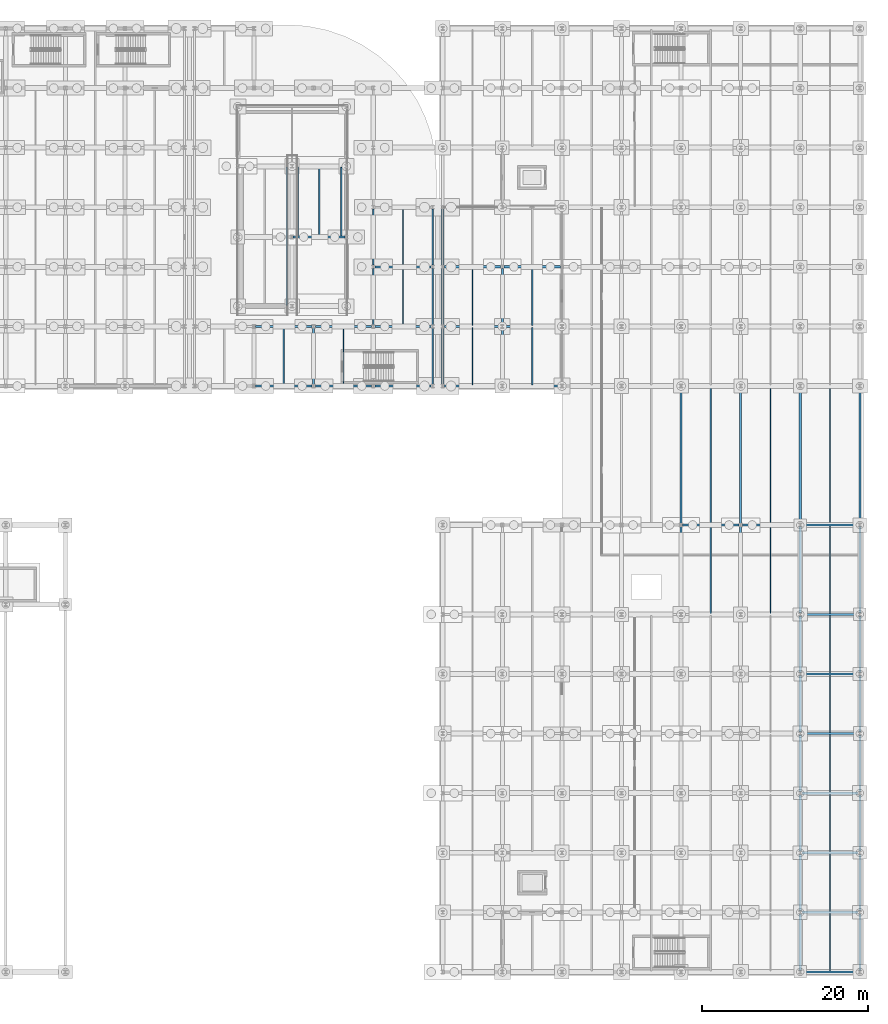
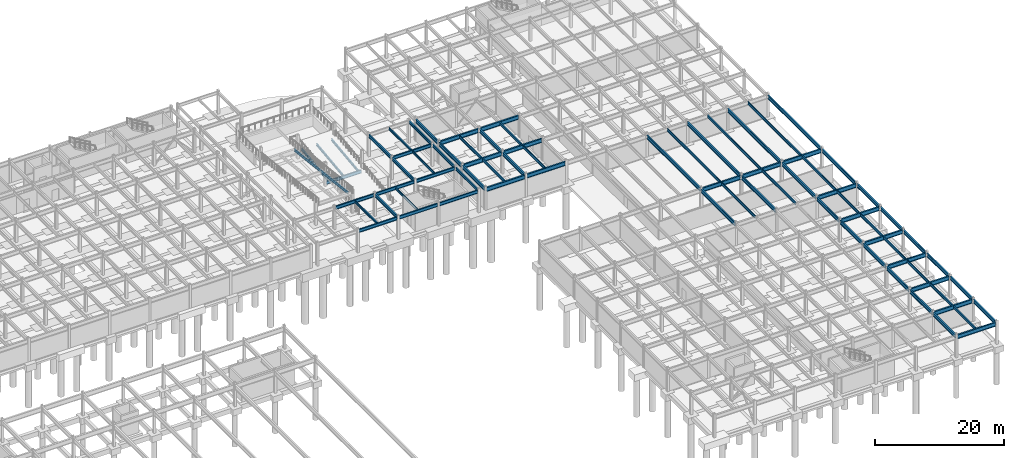
# One storey, part 34 of 54: 79 beams.
"""IFC4 building model written with IfcOpenShell, lengths in metres."""

from ifc_helpers import new_model, si_unit, direction, frame, origin, origin_2d, place, context, subcontext, project, spatial, i_section, extrude, material, material_profile, profile_set, type_object, element, save


model = new_model("IFC4")

# Units and contexts
model_context = context("Model", 3, precision=1e-05, world=origin(), true_north=direction((0.0, 1.0)))
body_context = subcontext(model_context, "Body", "Model", "MODEL_VIEW")
ifc_project = project(units=[si_unit("LENGTHUNIT", "METRE"), si_unit("AREAUNIT", "SQUARE_METRE"), si_unit("VOLUMEUNIT", "CUBIC_METRE"), si_unit("PLANEANGLEUNIT", "RADIAN"), si_unit("MASSUNIT", "GRAM", prefix="KILO")], contexts=[model_context])

# Site, building, storey
site_placement = place(None, origin())
site = spatial("IfcSite", under=ifc_project, at=site_placement, CompositionType="ELEMENT")
building_placement = place(site_placement, origin())
building = spatial("IfcBuilding", under=site, at=building_placement, Name="Vaelcorin Mobility Hub", CompositionType="ELEMENT")
storey_placement = place(building_placement, frame((0.0, 0.0, -4.5)))
storey = spatial("IfcBuildingStorey", under=building, at=storey_placement, Name="B1", CompositionType="ELEMENT", Elevation=-4.5)

# Beams
ifc_material = material(Name="Steel ASTM A992 Grade 50", Category="steel")
ifc_material_profile_1 = material_profile(ifc_material, i_section(OverallWidth=0.152099609375, OverallDepth=0.455078125, WebThickness=0.008056640625, FlangeThickness=0.01318359375, FilletRadius=0.012939453125, at=origin_2d()), Name="W18X40")
ifc_profile_set_1 = profile_set([ifc_material_profile_1], Name="Steel ASTM A992 Grade 50")
beam_type_1 = type_object("IfcBeamType", Name="BM-W18X40", PredefinedType="JOIST", material=ifc_profile_set_1)
for number, where, z_axis, x_axis, name in (
    (1, (134.39990234375, 76.912109375, 4.02197265625), (0.0, 1.0, 0.0), (-1.0, 0.0, 0.0), "B1 Beam V2E-B1-J-02-01-1"),
    (2, (141.60009765625, 76.912109375, 4.02197265625), (0.0, 1.0, 0.0), (-1.0, 0.0, 0.0), "B1 Beam V2E-B1-J-03-01-1"),
    (3, (148.800048828125, 84.112060546875, 4.02197265625), (0.0, 1.0, 0.0), (-1.0, 0.0, 0.0), "B1 Beam V2E-B1-J-04-02-1"),
):
    element("IfcBeam", number, at=place(storey_placement, frame(where, z_axis=z_axis, x_axis=x_axis)), inside=storey, type_object=beam_type_1, Name=name, PredefinedType="JOIST", context=body_context, shape_type="SweptSolid", body=[
        extrude(i_section(OverallWidth=0.152099609375, OverallDepth=0.455078125, WebThickness=0.008056640625, FlangeThickness=0.01318359375, FilletRadius=0.012939453125, at=origin_2d()), origin(), (0.0, 0.0, 1.0), 6.975830078125),
    ])
beam_1_placement = place(storey_placement, frame((148.800048828125, 91.31201171875, 4.02197265625), z_axis=(0.0, 1.0, 0.0), x_axis=(-1.0, 0.0, 0.0)))
element("IfcBeam", 4, at=beam_1_placement, inside=storey, type_object=beam_type_1, Name="B1 Beam V2E-B1-J-04-03-1", PredefinedType="JOIST", context=body_context, shape_type="SweptSolid", body=[
    extrude(i_section(OverallWidth=0.152099609375, OverallDepth=0.455078125, WebThickness=0.008056640625, FlangeThickness=0.01318359375, FilletRadius=0.012939453125, at=origin_2d()), origin(), (0.0, 0.0, 1.0), 6.97607421875),
])
ifc_material_profile_2 = material_profile(ifc_material, i_section(OverallWidth=0.19091796875, OverallDepth=0.4599609375, WebThickness=0.010009765625, FlangeThickness=0.01611328125, FilletRadius=0.012939453125, at=origin_2d()), Name="W18X55")
ifc_profile_set_2 = profile_set([ifc_material_profile_2], Name="Steel ASTM A992 Grade 50")
beam_type_2 = type_object("IfcBeamType", Name="BM-W18X55", PredefinedType="JOIST", material=ifc_profile_set_2)
for number, where, z_axis, x_axis, name in (
    (5, (136.050048828125, 94.909912109375, 0.60693359375), (0.0, 0.993191474496, 0.116493325936), (-1.0, 0.0, 0.0), "Vehicle Ramp VR-2 B1 Flight 1 Stringer 1"),
    (6, (138.699951171875, 94.909912109375, 0.60693359375), (0.0, 0.993191474496, 0.116493325936), (-1.0, 0.0, 0.0), "Vehicle Ramp VR-2 B1 Flight 1 Stringer 2"),
    (7, (141.35009765625, 94.909912109375, 0.60693359375), (0.0, 0.993191474496, 0.116493325936), (-1.0, 0.0, 0.0), "Vehicle Ramp VR-2 B1 Flight 1 Stringer 3"),
):
    element("IfcBeam", number, at=place(storey_placement, frame(where, z_axis=z_axis, x_axis=x_axis)), inside=storey, type_object=beam_type_2, Name=name, PredefinedType="JOIST", context=body_context, shape_type="SweptSolid", body=[
        extrude(i_section(OverallWidth=0.19091796875, OverallDepth=0.4599609375, WebThickness=0.010009765625, FlangeThickness=0.01611328125, FilletRadius=0.012939453125, at=origin_2d()), origin(), (0.0, 0.0, 1.0), 8.38720703125),
    ])
beam_2_placement = place(storey_placement, frame((134.75, 103.239990234375, 1.888916015625), z_axis=(0.0, -0.99318727008, 0.116529166098), x_axis=(1.0, 0.0, 0.0)))
element("IfcBeam", 8, at=beam_2_placement, inside=storey, type_object=beam_type_2, Name="Vehicle Ramp VR-2 B1 Flight 2 Stringer 3", PredefinedType="JOIST", context=body_context, shape_type="SweptSolid", body=[
    extrude(i_section(OverallWidth=0.19091796875, OverallDepth=0.4599609375, WebThickness=0.010009765625, FlangeThickness=0.01611328125, FilletRadius=0.012939453125, at=origin_2d()), origin(), (0.0, 0.0, 1.0), 16.79443359375),
])
ifc_material_profile_3 = material_profile(ifc_material, i_section(OverallWidth=0.166015625, OverallDepth=0.528076171875, WebThickness=0.009765625, FlangeThickness=0.013671875, FilletRadius=0.013916015625, at=origin_2d()), Name="W21X50")
ifc_profile_set_3 = profile_set([ifc_material_profile_3], Name="Steel ASTM A992 Grade 50")
beam_type_3 = type_object("IfcBeamType", Name="BM-W21X50", PredefinedType="JOIST", material=ifc_profile_set_3)
for number, where, z_axis, x_axis, name in (
    (9, (157.199951171875, 76.931884765625, 3.916015625), (0.0, 1.0, 0.0), (-1.0, 0.0, 0.0), "B1 Beam V5-B1-J-01-09-1"),
    (10, (157.199951171875, 84.132080078125, 3.916015625), (0.0, 1.0, 0.0), (-1.0, 0.0, 0.0), "B1 Beam V5-B1-J-01-10-1"),
    (11, (164.39990234375, 76.931884765625, 3.916015625), (0.0, 1.0, 0.0), (-1.0, 0.0, 0.0), "B1 Beam V5-B1-J-02-09-1"),
    (12, (164.39990234375, 84.132080078125, 3.916015625), (0.0, 1.0, 0.0), (-1.0, 0.0, 0.0), "B1 Beam V5-B1-J-02-10-1"),
):
    element("IfcBeam", number, at=place(storey_placement, frame(where, z_axis=z_axis, x_axis=x_axis)), inside=storey, type_object=beam_type_3, Name=name, PredefinedType="JOIST", context=body_context, shape_type="SweptSolid", body=[
        extrude(i_section(OverallWidth=0.166015625, OverallDepth=0.528076171875, WebThickness=0.009765625, FlangeThickness=0.013671875, FilletRadius=0.013916015625, at=origin_2d()), origin(), (0.0, 0.0, 1.0), 6.93603515625),
    ])
beam_3_placement = place(storey_placement, frame((186.0, 49.33203125, 3.916015625), z_axis=(0.0, 1.0, 0.0), x_axis=(-1.0, 0.0, 0.0)))
element("IfcBeam", 13, at=beam_3_placement, inside=storey, type_object=beam_type_3, Name="B1 Beam V5-B1-J-05-07-1", PredefinedType="JOIST", context=body_context, shape_type="SweptSolid", body=[
    extrude(i_section(OverallWidth=0.166015625, OverallDepth=0.528076171875, WebThickness=0.009765625, FlangeThickness=0.013671875, FilletRadius=0.013916015625, at=origin_2d()), origin(), (0.0, 0.0, 1.0), 10.535888671875),
])
beam_4_placement = place(storey_placement, frame((186.0, 60.132080078125, 3.916015625), z_axis=(0.0, 1.0, 0.0), x_axis=(-1.0, 0.0, 0.0)))
element("IfcBeam", 14, at=beam_4_placement, inside=storey, type_object=beam_type_3, Name="B1 Beam V5-B1-J-05-08-1", PredefinedType="JOIST", context=body_context, shape_type="SweptSolid", body=[
    extrude(i_section(OverallWidth=0.166015625, OverallDepth=0.528076171875, WebThickness=0.009765625, FlangeThickness=0.013671875, FilletRadius=0.013916015625, at=origin_2d()), origin(), (0.0, 0.0, 1.0), 16.535888671875),
])
beam_5_placement = place(storey_placement, frame((193.199951171875, 49.33203125, 3.916015625), z_axis=(0.0, 1.0, 0.0), x_axis=(-1.0, 0.0, 0.0)))
element("IfcBeam", 15, at=beam_5_placement, inside=storey, type_object=beam_type_3, Name="B1 Beam V5-B1-J-06-07-1", PredefinedType="JOIST", context=body_context, shape_type="SweptSolid", body=[
    extrude(i_section(OverallWidth=0.166015625, OverallDepth=0.528076171875, WebThickness=0.009765625, FlangeThickness=0.013671875, FilletRadius=0.013916015625, at=origin_2d()), origin(), (0.0, 0.0, 1.0), 10.535888671875),
])
beam_6_placement = place(storey_placement, frame((193.199951171875, 60.132080078125, 3.916015625), z_axis=(0.0, 1.0, 0.0), x_axis=(-1.0, 0.0, 0.0)))
element("IfcBeam", 16, at=beam_6_placement, inside=storey, type_object=beam_type_3, Name="B1 Beam V5-B1-J-06-08-1", PredefinedType="JOIST", context=body_context, shape_type="SweptSolid", body=[
    extrude(i_section(OverallWidth=0.166015625, OverallDepth=0.528076171875, WebThickness=0.009765625, FlangeThickness=0.013671875, FilletRadius=0.013916015625, at=origin_2d()), origin(), (0.0, 0.0, 1.0), 16.535888671875),
])
for number, where, z_axis, x_axis, name in (
    (17, (200.39990234375, 6.132080078125, 3.916015625), (0.0, 1.0, 0.0), (-1.0, 0.0, 0.0), "B1 Beam V5-B1-J-07-01-1"),
    (18, (200.39990234375, 13.33203125, 3.916015625), (0.0, 1.0, 0.0), (-1.0, 0.0, 0.0), "B1 Beam V5-B1-J-07-02-1"),
):
    element("IfcBeam", number, at=place(storey_placement, frame(where, z_axis=z_axis, x_axis=x_axis)), inside=storey, type_object=beam_type_3, Name=name, PredefinedType="JOIST", context=body_context, shape_type="SweptSolid", body=[
        extrude(i_section(OverallWidth=0.166015625, OverallDepth=0.528076171875, WebThickness=0.009765625, FlangeThickness=0.013671875, FilletRadius=0.013916015625, at=origin_2d()), origin(), (0.0, 0.0, 1.0), 6.93603515625),
    ])
beam_7_placement = place(storey_placement, frame((200.39990234375, 20.531005859375, 3.916015625), z_axis=(0.0, 1.0, 0.0), x_axis=(-1.0, 0.0, 0.0)))
element("IfcBeam", 19, at=beam_7_placement, inside=storey, type_object=beam_type_3, Name="B1 Beam V5-B1-J-07-03-1", PredefinedType="JOIST", context=body_context, shape_type="SweptSolid", body=[
    extrude(i_section(OverallWidth=0.166015625, OverallDepth=0.528076171875, WebThickness=0.009765625, FlangeThickness=0.013671875, FilletRadius=0.013916015625, at=origin_2d()), origin(), (0.0, 0.0, 1.0), 6.93798828125),
])
for number, where, z_axis, x_axis, name in (
    (20, (200.39990234375, 27.73193359375, 3.916015625), (0.0, 1.0, 0.0), (-1.0, 0.0, 0.0), "B1 Beam V5-B1-J-07-04-1"),
    (21, (200.39990234375, 34.931884765625, 3.916015625), (0.0, 1.0, 0.0), (-1.0, 0.0, 0.0), "B1 Beam V5-B1-J-07-05-1"),
    (22, (200.39990234375, 42.132080078125, 3.916015625), (0.0, 1.0, 0.0), (-1.0, 0.0, 0.0), "B1 Beam V5-B1-J-07-06-1"),
):
    element("IfcBeam", number, at=place(storey_placement, frame(where, z_axis=z_axis, x_axis=x_axis)), inside=storey, type_object=beam_type_3, Name=name, PredefinedType="JOIST", context=body_context, shape_type="SweptSolid", body=[
        extrude(i_section(OverallWidth=0.166015625, OverallDepth=0.528076171875, WebThickness=0.009765625, FlangeThickness=0.013671875, FilletRadius=0.013916015625, at=origin_2d()), origin(), (0.0, 0.0, 1.0), 6.93603515625),
    ])
beam_8_placement = place(storey_placement, frame((200.39990234375, 49.33203125, 3.916015625), z_axis=(0.0, 1.0, 0.0), x_axis=(-1.0, 0.0, 0.0)))
element("IfcBeam", 23, at=beam_8_placement, inside=storey, type_object=beam_type_3, Name="B1 Beam V5-B1-J-07-07-1", PredefinedType="JOIST", context=body_context, shape_type="SweptSolid", body=[
    extrude(i_section(OverallWidth=0.166015625, OverallDepth=0.528076171875, WebThickness=0.009765625, FlangeThickness=0.013671875, FilletRadius=0.013916015625, at=origin_2d()), origin(), (0.0, 0.0, 1.0), 10.535888671875),
])
beam_9_placement = place(storey_placement, frame((200.39990234375, 60.132080078125, 3.916015625), z_axis=(0.0, 1.0, 0.0), x_axis=(-1.0, 0.0, 0.0)))
element("IfcBeam", 24, at=beam_9_placement, inside=storey, type_object=beam_type_3, Name="B1 Beam V5-B1-J-07-08-1", PredefinedType="JOIST", context=body_context, shape_type="SweptSolid", body=[
    extrude(i_section(OverallWidth=0.166015625, OverallDepth=0.528076171875, WebThickness=0.009765625, FlangeThickness=0.013671875, FilletRadius=0.013916015625, at=origin_2d()), origin(), (0.0, 0.0, 1.0), 16.535888671875),
])
ifc_material_profile_4 = material_profile(ifc_material, i_section(OverallWidth=0.2099609375, OverallDepth=0.535888671875, WebThickness=0.010986328125, FlangeThickness=0.017333984375, FilletRadius=0.013916015625, at=origin_2d()), Name="W21X68")
ifc_profile_set_4 = profile_set([ifc_material_profile_4], Name="Steel ASTM A992 Grade 50")
beam_type_4 = type_object("IfcBeamType", Name="BM-W21X68", PredefinedType="SPANDREL", material=ifc_profile_set_4)
for number, where, z_axis, x_axis, name in (
    (25, (152.39990234375, 76.9951171875, 3.98193359375), (0.0, 1.0, 0.0), (-1.0, 0.0, 0.0), "B1 Beam V2E-B1-GY-05-01"),
    (26, (152.39990234375, 84.195068359375, 3.98193359375), (0.0, 1.0, 0.0), (-1.0, 0.0, 0.0), "B1 Beam V2E-B1-GY-05-02"),
):
    element("IfcBeam", number, at=place(storey_placement, frame(where, z_axis=z_axis, x_axis=x_axis)), inside=storey, type_object=beam_type_4, Name=name, PredefinedType="SPANDREL", context=body_context, shape_type="SweptSolid", body=[
        extrude(i_section(OverallWidth=0.2099609375, OverallDepth=0.535888671875, WebThickness=0.010986328125, FlangeThickness=0.017333984375, FilletRadius=0.013916015625, at=origin_2d()), origin(), (0.0, 0.0, 1.0), 6.809814453125),
    ])
beam_10_placement = place(storey_placement, frame((152.39990234375, 91.39501953125, 3.98193359375), z_axis=(0.0, 1.0, 0.0), x_axis=(-1.0, 0.0, 0.0)))
element("IfcBeam", 27, at=beam_10_placement, inside=storey, type_object=beam_type_4, Name="B1 Beam V2E-B1-GY-05-03", PredefinedType="SPANDREL", context=body_context, shape_type="SweptSolid", body=[
    extrude(i_section(OverallWidth=0.2099609375, OverallDepth=0.535888671875, WebThickness=0.010986328125, FlangeThickness=0.017333984375, FilletRadius=0.013916015625, at=origin_2d()), origin(), (0.0, 0.0, 1.0), 6.81005859375),
])
ifc_material_profile_5 = material_profile(ifc_material, i_section(OverallWidth=0.22802734375, OverallDepth=0.60205078125, WebThickness=0.010498046875, FlangeThickness=0.014892578125, FilletRadius=0.014892578125, at=origin_2d()), Name="W24X68")
ifc_profile_set_5 = profile_set([ifc_material_profile_5], Name="Steel ASTM A992 Grade 50")
beam_type_5 = type_object("IfcBeamType", Name="BM-W24X68", PredefinedType="SPANDREL", material=ifc_profile_set_5)
for number, where, z_axis, x_axis, name in (
    (28, (130.998046875, 76.800048828125, 3.948974609375), (1.0, 0.0, 0.0), (0.0, 1.0, 0.0), "B1 Beam V2E-B1-GX-01-02"),
    (29, (138.197998046875, 76.800048828125, 3.948974609375), (1.0, 0.0, 0.0), (0.0, 1.0, 0.0), "B1 Beam V2E-B1-GX-01-03"),
):
    element("IfcBeam", number, at=place(storey_placement, frame(where, z_axis=z_axis, x_axis=x_axis)), inside=storey, type_object=beam_type_5, Name=name, PredefinedType="SPANDREL", context=body_context, shape_type="SweptSolid", body=[
        extrude(i_section(OverallWidth=0.22802734375, OverallDepth=0.60205078125, WebThickness=0.010498046875, FlangeThickness=0.014892578125, FilletRadius=0.014892578125, at=origin_2d()), origin(), (0.0, 0.0, 1.0), 6.803955078125),
    ])
beam_11_placement = place(storey_placement, frame((145.39697265625, 76.800048828125, 3.948974609375), z_axis=(1.0, 0.0, 0.0), x_axis=(0.0, 1.0, 0.0)))
element("IfcBeam", 30, at=beam_11_placement, inside=storey, type_object=beam_type_5, Name="B1 Beam V2E-B1-GX-01-04", PredefinedType="SPANDREL", context=body_context, shape_type="SweptSolid", body=[
    extrude(i_section(OverallWidth=0.22802734375, OverallDepth=0.60205078125, WebThickness=0.010498046875, FlangeThickness=0.014892578125, FilletRadius=0.014892578125, at=origin_2d()), origin(), (0.0, 0.0, 1.0), 6.805908203125),
])
ifc_material_profile_6 = material_profile(ifc_material, i_section(OverallWidth=0.22900390625, OverallDepth=0.612060546875, WebThickness=0.011962890625, FlangeThickness=0.01953125, FilletRadius=0.014892578125, at=origin_2d()), Name="W24X84")
ifc_profile_set_6 = profile_set([ifc_material_profile_6], Name="Steel ASTM A992 Grade 50")
beam_type_6 = type_object("IfcBeamType", Name="BM-W24X84", PredefinedType="BEAM", material=ifc_profile_set_6)
for number, where, z_axis, x_axis, name in (
    (31, (130.998046875, 84.0, 3.944091796875), (1.0, 0.0, 0.0), (0.0, 1.0, 0.0), "B1 Beam V2E-B1-GX-02-02"),
    (32, (138.197998046875, 84.0, 3.944091796875), (1.0, 0.0, 0.0), (0.0, 1.0, 0.0), "B1 Beam V2E-B1-GX-02-03"),
):
    element("IfcBeam", number, at=place(storey_placement, frame(where, z_axis=z_axis, x_axis=x_axis)), inside=storey, type_object=beam_type_6, Name=name, PredefinedType="BEAM", context=body_context, shape_type="SweptSolid", body=[
        extrude(i_section(OverallWidth=0.22900390625, OverallDepth=0.612060546875, WebThickness=0.011962890625, FlangeThickness=0.01953125, FilletRadius=0.014892578125, at=origin_2d()), origin(), (0.0, 0.0, 1.0), 6.803955078125),
    ])
for number, where, z_axis, x_axis, name in (
    (33, (145.39697265625, 84.0, 3.944091796875), (1.0, 0.0, 0.0), (0.0, 1.0, 0.0), "B1 Beam V2E-B1-GX-02-04"),
    (34, (145.39697265625, 91.199951171875, 3.944091796875), (1.0, 0.0, 0.0), (0.0, 1.0, 0.0), "B1 Beam V2E-B1-GX-03-04"),
):
    element("IfcBeam", number, at=place(storey_placement, frame(where, z_axis=z_axis, x_axis=x_axis)), inside=storey, type_object=beam_type_6, Name=name, PredefinedType="BEAM", context=body_context, shape_type="SweptSolid", body=[
        extrude(i_section(OverallWidth=0.22900390625, OverallDepth=0.612060546875, WebThickness=0.011962890625, FlangeThickness=0.01953125, FilletRadius=0.014892578125, at=origin_2d()), origin(), (0.0, 0.0, 1.0), 6.805908203125),
    ])
for number, where, z_axis, x_axis, name in (
    (35, (138.0, 76.9951171875, 3.944091796875), (0.0, 1.0, 0.0), (-1.0, 0.0, 0.0), "B1 Beam V2E-B1-GY-03-01"),
    (36, (145.199951171875, 84.195068359375, 3.944091796875), (0.0, 1.0, 0.0), (-1.0, 0.0, 0.0), "B1 Beam V2E-B1-GY-04-02"),
):
    element("IfcBeam", number, at=place(storey_placement, frame(where, z_axis=z_axis, x_axis=x_axis)), inside=storey, type_object=beam_type_6, Name=name, PredefinedType="BEAM", context=body_context, shape_type="SweptSolid", body=[
        extrude(i_section(OverallWidth=0.22900390625, OverallDepth=0.612060546875, WebThickness=0.011962890625, FlangeThickness=0.01953125, FilletRadius=0.014892578125, at=origin_2d()), origin(), (0.0, 0.0, 1.0), 6.809814453125),
    ])
beam_12_placement = place(storey_placement, frame((145.199951171875, 91.39501953125, 3.944091796875), z_axis=(0.0, 1.0, 0.0), x_axis=(-1.0, 0.0, 0.0)))
element("IfcBeam", 37, at=beam_12_placement, inside=storey, type_object=beam_type_6, Name="B1 Beam V2E-B1-GY-04-03", PredefinedType="BEAM", context=body_context, shape_type="SweptSolid", body=[
    extrude(i_section(OverallWidth=0.22900390625, OverallDepth=0.612060546875, WebThickness=0.011962890625, FlangeThickness=0.01953125, FilletRadius=0.014892578125, at=origin_2d()), origin(), (0.0, 0.0, 1.0), 6.81005859375),
])
beam_13_placement = place(storey_placement, frame((135.530029296875, 94.800048828125, 0.4970703125), z_axis=(1.0, 0.0, 0.0), x_axis=(0.0, 1.0, 0.0)))
element("IfcBeam", 38, at=beam_13_placement, inside=storey, type_object=beam_type_6, Name="Vehicle Ramp VR-2 B1 Bent Girder F1M", PredefinedType="BEAM", context=body_context, shape_type="SweptSolid", body=[
    extrude(i_section(OverallWidth=0.22900390625, OverallDepth=0.612060546875, WebThickness=0.011962890625, FlangeThickness=0.01953125, FilletRadius=0.014892578125, at=origin_2d()), origin(), (0.0, 0.0, 1.0), 6.2900390625),
])
ifc_material_profile_7 = material_profile(ifc_material, i_section(OverallWidth=0.25390625, OverallDepth=0.68310546875, WebThickness=0.012451171875, FlangeThickness=0.018798828125, FilletRadius=0.01611328125, at=origin_2d()), Name="W27X94")
ifc_profile_set_7 = profile_set([ifc_material_profile_7], Name="Steel ASTM A992 Grade 50")
beam_type_7 = type_object("IfcBeamType", Name="BM-W27X94", PredefinedType="BEAM", material=ifc_profile_set_7)
for number, where, z_axis, x_axis, name in (
    (39, (153.60009765625, 76.9951171875, 3.837890625), (0.0, 1.0, 0.0), (-1.0, 0.0, 0.0), "B1 Beam V5-B1-GY-01-09"),
    (40, (153.60009765625, 84.195068359375, 3.837890625), (0.0, 1.0, 0.0), (-1.0, 0.0, 0.0), "B1 Beam V5-B1-GY-01-10"),
):
    element("IfcBeam", number, at=place(storey_placement, frame(where, z_axis=z_axis, x_axis=x_axis)), inside=storey, type_object=beam_type_7, Name=name, PredefinedType="BEAM", context=body_context, shape_type="SweptSolid", body=[
        extrude(i_section(OverallWidth=0.25390625, OverallDepth=0.68310546875, WebThickness=0.012451171875, FlangeThickness=0.018798828125, FilletRadius=0.01611328125, at=origin_2d()), origin(), (0.0, 0.0, 1.0), 6.809814453125),
    ])
beam_14_placement = place(storey_placement, frame((153.60009765625, 91.39501953125, 3.837890625), z_axis=(0.0, 1.0, 0.0), x_axis=(-1.0, 0.0, 0.0)))
element("IfcBeam", 41, at=beam_14_placement, inside=storey, type_object=beam_type_7, Name="B1 Beam V5-B1-GY-01-11", PredefinedType="BEAM", context=body_context, shape_type="SweptSolid", body=[
    extrude(i_section(OverallWidth=0.25390625, OverallDepth=0.68310546875, WebThickness=0.012451171875, FlangeThickness=0.018798828125, FilletRadius=0.01611328125, at=origin_2d()), origin(), (0.0, 0.0, 1.0), 6.81005859375),
])
for number, where, z_axis, x_axis, name in (
    (42, (160.800048828125, 76.9951171875, 3.837890625), (0.0, 1.0, 0.0), (-1.0, 0.0, 0.0), "B1 Beam V5-B1-GY-02-09"),
    (43, (160.800048828125, 84.195068359375, 3.837890625), (0.0, 1.0, 0.0), (-1.0, 0.0, 0.0), "B1 Beam V5-B1-GY-02-10"),
):
    element("IfcBeam", number, at=place(storey_placement, frame(where, z_axis=z_axis, x_axis=x_axis)), inside=storey, type_object=beam_type_7, Name=name, PredefinedType="BEAM", context=body_context, shape_type="SweptSolid", body=[
        extrude(i_section(OverallWidth=0.25390625, OverallDepth=0.68310546875, WebThickness=0.012451171875, FlangeThickness=0.018798828125, FilletRadius=0.01611328125, at=origin_2d()), origin(), (0.0, 0.0, 1.0), 6.809814453125),
    ])
beam_15_placement = place(storey_placement, frame((182.39990234375, 49.39501953125, 3.837890625), z_axis=(0.0, 1.0, 0.0), x_axis=(-1.0, 0.0, 0.0)))
element("IfcBeam", 44, at=beam_15_placement, inside=storey, type_object=beam_type_7, Name="B1 Beam V5-B1-GY-05-07", PredefinedType="BEAM", context=body_context, shape_type="SweptSolid", body=[
    extrude(i_section(OverallWidth=0.25390625, OverallDepth=0.68310546875, WebThickness=0.012451171875, FlangeThickness=0.018798828125, FilletRadius=0.01611328125, at=origin_2d()), origin(), (0.0, 0.0, 1.0), 10.409912109375),
])
beam_16_placement = place(storey_placement, frame((182.39990234375, 60.195068359375, 3.837890625), z_axis=(0.0, 1.0, 0.0), x_axis=(-1.0, 0.0, 0.0)))
element("IfcBeam", 45, at=beam_16_placement, inside=storey, type_object=beam_type_7, Name="B1 Beam V5-B1-GY-05-08", PredefinedType="BEAM", context=body_context, shape_type="SweptSolid", body=[
    extrude(i_section(OverallWidth=0.25390625, OverallDepth=0.68310546875, WebThickness=0.012451171875, FlangeThickness=0.018798828125, FilletRadius=0.01611328125, at=origin_2d()), origin(), (0.0, 0.0, 1.0), 16.409912109375),
])
beam_17_placement = place(storey_placement, frame((189.60009765625, 49.39501953125, 3.837890625), z_axis=(0.0, 1.0, 0.0), x_axis=(-1.0, 0.0, 0.0)))
element("IfcBeam", 46, at=beam_17_placement, inside=storey, type_object=beam_type_7, Name="B1 Beam V5-B1-GY-06-07", PredefinedType="BEAM", context=body_context, shape_type="SweptSolid", body=[
    extrude(i_section(OverallWidth=0.25390625, OverallDepth=0.68310546875, WebThickness=0.012451171875, FlangeThickness=0.018798828125, FilletRadius=0.01611328125, at=origin_2d()), origin(), (0.0, 0.0, 1.0), 10.409912109375),
])
beam_18_placement = place(storey_placement, frame((189.60009765625, 60.195068359375, 3.837890625), z_axis=(0.0, 1.0, 0.0), x_axis=(-1.0, 0.0, 0.0)))
element("IfcBeam", 47, at=beam_18_placement, inside=storey, type_object=beam_type_7, Name="B1 Beam V5-B1-GY-06-08", PredefinedType="BEAM", context=body_context, shape_type="SweptSolid", body=[
    extrude(i_section(OverallWidth=0.25390625, OverallDepth=0.68310546875, WebThickness=0.012451171875, FlangeThickness=0.018798828125, FilletRadius=0.01611328125, at=origin_2d()), origin(), (0.0, 0.0, 1.0), 16.409912109375),
])
beam_19_placement = place(storey_placement, frame((196.800048828125, 6.195068359375, 3.837890625), z_axis=(0.0, 1.0, 0.0), x_axis=(-1.0, 0.0, 0.0)))
element("IfcBeam", 48, at=beam_19_placement, inside=storey, type_object=beam_type_7, Name="B1 Beam V5-B1-GY-07-01", PredefinedType="BEAM", context=body_context, shape_type="SweptSolid", body=[
    extrude(i_section(OverallWidth=0.25390625, OverallDepth=0.68310546875, WebThickness=0.012451171875, FlangeThickness=0.018798828125, FilletRadius=0.01611328125, at=origin_2d()), origin(), (0.0, 0.0, 1.0), 6.809814453125),
])
for number, where, z_axis, x_axis, name in (
    (49, (196.800048828125, 13.39501953125, 3.837890625), (0.0, 1.0, 0.0), (-1.0, 0.0, 0.0), "B1 Beam V5-B1-GY-07-02"),
    (50, (196.800048828125, 20.594970703125, 3.837890625), (0.0, 1.0, 0.0), (-1.0, 0.0, 0.0), "B1 Beam V5-B1-GY-07-03"),
    (51, (196.800048828125, 27.794921875, 3.837890625), (0.0, 1.0, 0.0), (-1.0, 0.0, 0.0), "B1 Beam V5-B1-GY-07-04"),
):
    element("IfcBeam", number, at=place(storey_placement, frame(where, z_axis=z_axis, x_axis=x_axis)), inside=storey, type_object=beam_type_7, Name=name, PredefinedType="BEAM", context=body_context, shape_type="SweptSolid", body=[
        extrude(i_section(OverallWidth=0.25390625, OverallDepth=0.68310546875, WebThickness=0.012451171875, FlangeThickness=0.018798828125, FilletRadius=0.01611328125, at=origin_2d()), origin(), (0.0, 0.0, 1.0), 6.81005859375),
    ])
for number, where, z_axis, x_axis, name in (
    (52, (196.800048828125, 34.9951171875, 3.837890625), (0.0, 1.0, 0.0), (-1.0, 0.0, 0.0), "B1 Beam V5-B1-GY-07-05"),
    (53, (196.800048828125, 42.195068359375, 3.837890625), (0.0, 1.0, 0.0), (-1.0, 0.0, 0.0), "B1 Beam V5-B1-GY-07-06"),
):
    element("IfcBeam", number, at=place(storey_placement, frame(where, z_axis=z_axis, x_axis=x_axis)), inside=storey, type_object=beam_type_7, Name=name, PredefinedType="BEAM", context=body_context, shape_type="SweptSolid", body=[
        extrude(i_section(OverallWidth=0.25390625, OverallDepth=0.68310546875, WebThickness=0.012451171875, FlangeThickness=0.018798828125, FilletRadius=0.01611328125, at=origin_2d()), origin(), (0.0, 0.0, 1.0), 6.809814453125),
    ])
beam_20_placement = place(storey_placement, frame((196.800048828125, 49.39501953125, 3.837890625), z_axis=(0.0, 1.0, 0.0), x_axis=(-1.0, 0.0, 0.0)))
element("IfcBeam", 54, at=beam_20_placement, inside=storey, type_object=beam_type_7, Name="B1 Beam V5-B1-GY-07-07", PredefinedType="BEAM", context=body_context, shape_type="SweptSolid", body=[
    extrude(i_section(OverallWidth=0.25390625, OverallDepth=0.68310546875, WebThickness=0.012451171875, FlangeThickness=0.018798828125, FilletRadius=0.01611328125, at=origin_2d()), origin(), (0.0, 0.0, 1.0), 10.409912109375),
])
beam_21_placement = place(storey_placement, frame((196.800048828125, 60.195068359375, 3.837890625), z_axis=(0.0, 1.0, 0.0), x_axis=(-1.0, 0.0, 0.0)))
element("IfcBeam", 55, at=beam_21_placement, inside=storey, type_object=beam_type_7, Name="B1 Beam V5-B1-GY-07-08", PredefinedType="BEAM", context=body_context, shape_type="SweptSolid", body=[
    extrude(i_section(OverallWidth=0.25390625, OverallDepth=0.68310546875, WebThickness=0.012451171875, FlangeThickness=0.018798828125, FilletRadius=0.01611328125, at=origin_2d()), origin(), (0.0, 0.0, 1.0), 16.409912109375),
])
beam_22_placement = place(storey_placement, frame((204.0, 6.195068359375, 3.837890625), z_axis=(0.0, 1.0, 0.0), x_axis=(-1.0, 0.0, 0.0)))
element("IfcBeam", 56, at=beam_22_placement, inside=storey, type_object=beam_type_7, Name="B1 Beam V5-B1-GY-08-01", PredefinedType="BEAM", context=body_context, shape_type="SweptSolid", body=[
    extrude(i_section(OverallWidth=0.25390625, OverallDepth=0.68310546875, WebThickness=0.012451171875, FlangeThickness=0.018798828125, FilletRadius=0.01611328125, at=origin_2d()), origin(), (0.0, 0.0, 1.0), 6.809814453125),
])
for number, where, z_axis, x_axis, name in (
    (57, (204.0, 13.39501953125, 3.837890625), (0.0, 1.0, 0.0), (-1.0, 0.0, 0.0), "B1 Beam V5-B1-GY-08-02"),
    (58, (204.0, 20.594970703125, 3.837890625), (0.0, 1.0, 0.0), (-1.0, 0.0, 0.0), "B1 Beam V5-B1-GY-08-03"),
    (59, (204.0, 27.794921875, 3.837890625), (0.0, 1.0, 0.0), (-1.0, 0.0, 0.0), "B1 Beam V5-B1-GY-08-04"),
):
    element("IfcBeam", number, at=place(storey_placement, frame(where, z_axis=z_axis, x_axis=x_axis)), inside=storey, type_object=beam_type_7, Name=name, PredefinedType="BEAM", context=body_context, shape_type="SweptSolid", body=[
        extrude(i_section(OverallWidth=0.25390625, OverallDepth=0.68310546875, WebThickness=0.012451171875, FlangeThickness=0.018798828125, FilletRadius=0.01611328125, at=origin_2d()), origin(), (0.0, 0.0, 1.0), 6.81005859375),
    ])
for number, where, z_axis, x_axis, name in (
    (60, (204.0, 34.9951171875, 3.837890625), (0.0, 1.0, 0.0), (-1.0, 0.0, 0.0), "B1 Beam V5-B1-GY-08-05"),
    (61, (204.0, 42.195068359375, 3.837890625), (0.0, 1.0, 0.0), (-1.0, 0.0, 0.0), "B1 Beam V5-B1-GY-08-06"),
):
    element("IfcBeam", number, at=place(storey_placement, frame(where, z_axis=z_axis, x_axis=x_axis)), inside=storey, type_object=beam_type_7, Name=name, PredefinedType="BEAM", context=body_context, shape_type="SweptSolid", body=[
        extrude(i_section(OverallWidth=0.25390625, OverallDepth=0.68310546875, WebThickness=0.012451171875, FlangeThickness=0.018798828125, FilletRadius=0.01611328125, at=origin_2d()), origin(), (0.0, 0.0, 1.0), 6.809814453125),
    ])
beam_23_placement = place(storey_placement, frame((204.0, 49.39501953125, 3.837890625), z_axis=(0.0, 1.0, 0.0), x_axis=(-1.0, 0.0, 0.0)))
element("IfcBeam", 62, at=beam_23_placement, inside=storey, type_object=beam_type_7, Name="B1 Beam V5-B1-GY-08-07", PredefinedType="BEAM", context=body_context, shape_type="SweptSolid", body=[
    extrude(i_section(OverallWidth=0.25390625, OverallDepth=0.68310546875, WebThickness=0.012451171875, FlangeThickness=0.018798828125, FilletRadius=0.01611328125, at=origin_2d()), origin(), (0.0, 0.0, 1.0), 10.409912109375),
])
beam_24_placement = place(storey_placement, frame((204.0, 60.195068359375, 3.837890625), z_axis=(0.0, 1.0, 0.0), x_axis=(-1.0, 0.0, 0.0)))
element("IfcBeam", 63, at=beam_24_placement, inside=storey, type_object=beam_type_7, Name="B1 Beam V5-B1-GY-08-08", PredefinedType="BEAM", context=body_context, shape_type="SweptSolid", body=[
    extrude(i_section(OverallWidth=0.25390625, OverallDepth=0.68310546875, WebThickness=0.012451171875, FlangeThickness=0.018798828125, FilletRadius=0.01611328125, at=origin_2d()), origin(), (0.0, 0.0, 1.0), 16.409912109375),
])
ifc_material_profile_8 = material_profile(ifc_material, i_section(OverallWidth=0.26708984375, OverallDepth=0.757080078125, WebThickness=0.013916015625, FlangeThickness=0.019287109375, FilletRadius=0.01708984375, at=origin_2d()), Name="W30X108")
ifc_profile_set_8 = profile_set([ifc_material_profile_8], Name="Steel ASTM A992 Grade 50")
beam_type_8 = type_object("IfcBeamType", Name="BM-W30X108", PredefinedType="BEAM", material=ifc_profile_set_8)
for number, where, z_axis, x_axis, name in (
    (64, (196.998046875, 6.0, 3.802001953125), (1.0, 0.0, 0.0), (0.0, 1.0, 0.0), "B1 Beam V5-B1-GX-01-07"),
    (65, (196.998046875, 13.199951171875, 3.802001953125), (1.0, 0.0, 0.0), (0.0, 1.0, 0.0), "B1 Beam V5-B1-GX-02-07"),
    (66, (196.998046875, 20.39990234375, 3.802001953125), (1.0, 0.0, 0.0), (0.0, 1.0, 0.0), "B1 Beam V5-B1-GX-03-07"),
    (67, (196.998046875, 27.60009765625, 3.802001953125), (1.0, 0.0, 0.0), (0.0, 1.0, 0.0), "B1 Beam V5-B1-GX-04-07"),
    (68, (196.998046875, 34.800048828125, 3.802001953125), (1.0, 0.0, 0.0), (0.0, 1.0, 0.0), "B1 Beam V5-B1-GX-05-07"),
    (69, (196.998046875, 42.0, 3.802001953125), (1.0, 0.0, 0.0), (0.0, 1.0, 0.0), "B1 Beam V5-B1-GX-06-07"),
    (70, (196.998046875, 49.199951171875, 3.802001953125), (1.0, 0.0, 0.0), (0.0, 1.0, 0.0), "B1 Beam V5-B1-GX-07-07"),
):
    element("IfcBeam", number, at=place(storey_placement, frame(where, z_axis=z_axis, x_axis=x_axis)), inside=storey, type_object=beam_type_8, Name=name, PredefinedType="BEAM", context=body_context, shape_type="SweptSolid", body=[
        extrude(i_section(OverallWidth=0.26708984375, OverallDepth=0.757080078125, WebThickness=0.013916015625, FlangeThickness=0.019287109375, FilletRadius=0.01708984375, at=origin_2d()), origin(), (0.0, 0.0, 1.0), 6.803955078125),
    ])
beam_25_placement = place(storey_placement, frame((182.597900390625, 60.0, 3.802001953125), z_axis=(1.0, 0.0, 0.0), x_axis=(0.0, 1.0, 0.0)))
element("IfcBeam", 71, at=beam_25_placement, inside=storey, type_object=beam_type_8, Name="B1 Beam V5-B1-GX-08-05", PredefinedType="BEAM", context=body_context, shape_type="SweptSolid", body=[
    extrude(i_section(OverallWidth=0.26708984375, OverallDepth=0.757080078125, WebThickness=0.013916015625, FlangeThickness=0.019287109375, FilletRadius=0.01708984375, at=origin_2d()), origin(), (0.0, 0.0, 1.0), 6.80419921875),
])
beam_26_placement = place(storey_placement, frame((189.797119140625, 60.0, 3.802001953125), z_axis=(1.0, 0.0, 0.0), x_axis=(0.0, 1.0, 0.0)))
element("IfcBeam", 72, at=beam_26_placement, inside=storey, type_object=beam_type_8, Name="B1 Beam V5-B1-GX-08-06", PredefinedType="BEAM", context=body_context, shape_type="SweptSolid", body=[
    extrude(i_section(OverallWidth=0.26708984375, OverallDepth=0.757080078125, WebThickness=0.013916015625, FlangeThickness=0.019287109375, FilletRadius=0.01708984375, at=origin_2d()), origin(), (0.0, 0.0, 1.0), 6.805908203125),
])
beam_27_placement = place(storey_placement, frame((196.998046875, 60.0, 3.802001953125), z_axis=(1.0, 0.0, 0.0), x_axis=(0.0, 1.0, 0.0)))
element("IfcBeam", 73, at=beam_27_placement, inside=storey, type_object=beam_type_8, Name="B1 Beam V5-B1-GX-08-07", PredefinedType="BEAM", context=body_context, shape_type="SweptSolid", body=[
    extrude(i_section(OverallWidth=0.26708984375, OverallDepth=0.757080078125, WebThickness=0.013916015625, FlangeThickness=0.019287109375, FilletRadius=0.01708984375, at=origin_2d()), origin(), (0.0, 0.0, 1.0), 6.803955078125),
])
for number, where, z_axis, x_axis, name in (
    (74, (153.797119140625, 76.800048828125, 3.802001953125), (1.0, 0.0, 0.0), (0.0, 1.0, 0.0), "B1 Beam V5-B1-GX-09-01"),
    (75, (160.9970703125, 76.800048828125, 3.802001953125), (1.0, 0.0, 0.0), (0.0, 1.0, 0.0), "B1 Beam V5-B1-GX-09-02"),
    (76, (153.797119140625, 84.0, 3.802001953125), (1.0, 0.0, 0.0), (0.0, 1.0, 0.0), "B1 Beam V5-B1-GX-10-01"),
    (77, (160.9970703125, 84.0, 3.802001953125), (1.0, 0.0, 0.0), (0.0, 1.0, 0.0), "B1 Beam V5-B1-GX-10-02"),
    (78, (153.797119140625, 91.199951171875, 3.802001953125), (1.0, 0.0, 0.0), (0.0, 1.0, 0.0), "B1 Beam V5-B1-GX-11-01"),
    (79, (160.9970703125, 91.199951171875, 3.802001953125), (1.0, 0.0, 0.0), (0.0, 1.0, 0.0), "B1 Beam V5-B1-GX-11-02"),
):
    element("IfcBeam", number, at=place(storey_placement, frame(where, z_axis=z_axis, x_axis=x_axis)), inside=storey, type_object=beam_type_8, Name=name, PredefinedType="BEAM", context=body_context, shape_type="SweptSolid", body=[
        extrude(i_section(OverallWidth=0.26708984375, OverallDepth=0.757080078125, WebThickness=0.013916015625, FlangeThickness=0.019287109375, FilletRadius=0.01708984375, at=origin_2d()), origin(), (0.0, 0.0, 1.0), 6.804931640625),
    ])

save(model, "model.ifc")
